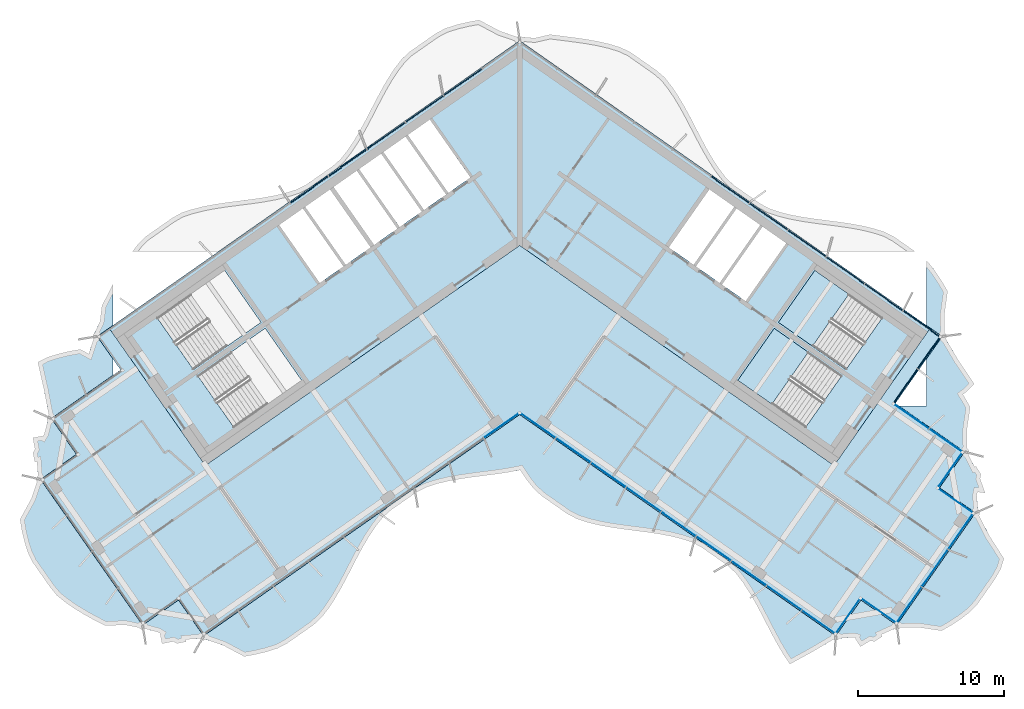
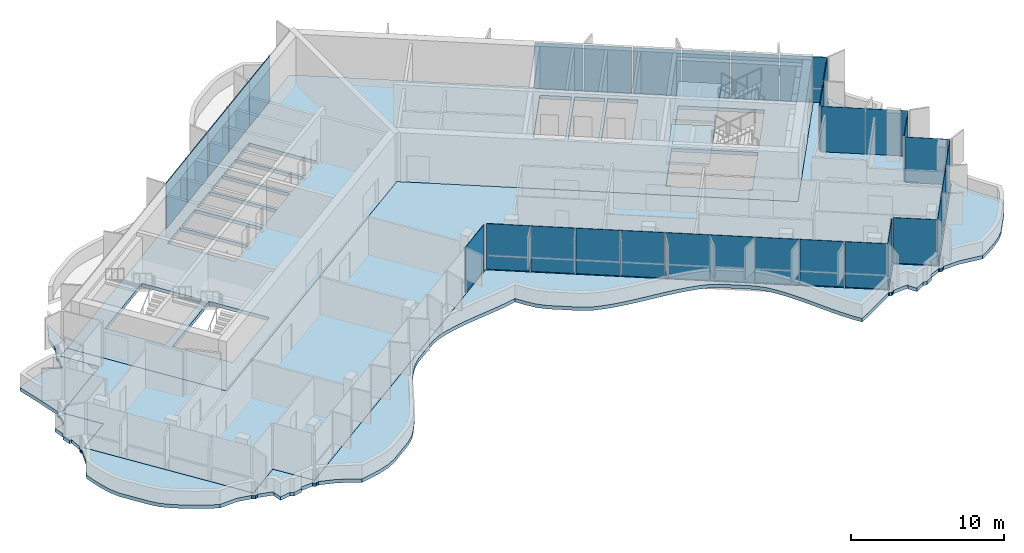
# One storey, part 8 of 18: 32 plates, 5 slabs, 4 elements without a shape of their own.
"""IFC4 building model written with IfcOpenShell, lengths in metres."""

from ifc_helpers import new_model, si_unit, direction, frame, origin, origin_2d, place, context, subcontext, project, spatial, polyline, rectangle, outline, extrude, material, layer, layer_set, type_object, element, aggregate, save


model = new_model("IFC4")

# Units and contexts
model_context = context("Model", 3, precision=1e-05, world=origin(), true_north=direction((0.0, 1.0)))
body_context = subcontext(model_context, "Body", "Model", "MODEL_VIEW")
ifc_project = project(units=[si_unit("LENGTHUNIT", "METRE"), si_unit("AREAUNIT", "SQUARE_METRE"), si_unit("VOLUMEUNIT", "CUBIC_METRE"), si_unit("PLANEANGLEUNIT", "RADIAN"), si_unit("MASSUNIT", "GRAM", prefix="KILO")], contexts=[model_context])

# Site, building, storey
site_placement = place(None, origin())
site = spatial("IfcSite", under=ifc_project, at=site_placement, CompositionType="ELEMENT")
building_placement = place(site_placement, origin())
building = spatial("IfcBuilding", under=site, at=building_placement, Name="Tel Ilan Convention Tower", CompositionType="ELEMENT")
storey_placement = place(building_placement, frame((0.0, 0.0, 256.60009765625)))
storey = spatial("IfcBuildingStorey", under=building, at=storey_placement, Name="L60", CompositionType="ELEMENT", Elevation=256.60009765625)

# Curtain wall, plates
ifc_material_1 = material(Name="Aluminium, bronze anodised", Category="aluminium")
curtain_wall_type_1 = type_object("IfcCurtainWallType", Name="CW2 STICK CURTAIN WALL, SPANDREL PANELS", PredefinedType="NOTDEFINED", material=ifc_material_1)
curtain_wall_1_placement = place(storey_placement, origin())
curtain_wall_1 = element("IfcCurtainWall", 1, at=curtain_wall_1_placement, inside=storey, type_object=curtain_wall_type_1, Name="Curtain wall CW2-46.01", PredefinedType="NOTDEFINED")
ifc_material_2 = material(Name="Aluminium composite panel, bronze anodised", Category="aluminium")
ifc_layer_1 = layer(ifc_material_2, 0.06005859375)
ifc_layer_set_1 = layer_set([ifc_layer_1], Name="CW SPANDREL PANEL 60")
plate_type_1 = type_object("IfcPlateType", Name="CW SPANDREL PANEL 60", PredefinedType="CURTAIN_PANEL", material=ifc_layer_set_1)
plate_1_placement = place(storey_placement, frame((26.45947265625, -10.85400390625, -0.000244140625), z_axis=(0.0, 0.0, 1.0), x_axis=(0.573576436351, 0.819152044289, 0.0)))
plate_1 = element("IfcPlate", 2, at=plate_1_placement, type_object=plate_type_1, Name="Spandrel panel", PredefinedType="CURTAIN_PANEL", context=body_context, shape_type="SweptSolid", body=[
    extrude(rectangle(XDim=2.76904296875, YDim=0.06005859375, at=origin_2d()), origin(), (0.0, 0.0, 1.0), 3.6201171875),
])
plate_2_placement = place(storey_placement, frame((28.042236328125, -8.593505859375, -0.000244140625), z_axis=(0.0, 0.0, 1.0), x_axis=(0.573576436351, 0.819152044289, 0.0)))
plate_2 = element("IfcPlate", 3, at=plate_2_placement, type_object=plate_type_1, Name="Spandrel panel", PredefinedType="CURTAIN_PANEL", context=body_context, shape_type="SweptSolid", body=[
    extrude(rectangle(XDim=2.6298828125, YDim=0.06005859375, at=origin_2d()), origin(), (0.0, 0.0, 1.0), 3.6201171875),
])
plate_3_placement = place(storey_placement, frame((27.5400390625, -6.587646484375, -0.000244140625), z_axis=(0.0, 0.0, 1.0), x_axis=(-0.819152044289, 0.573576436351, 0.0)))
plate_3 = element("IfcPlate", 4, at=plate_3_placement, type_object=plate_type_1, Name="Spandrel panel", PredefinedType="CURTAIN_PANEL", context=body_context, shape_type="SweptSolid", body=[
    extrude(rectangle(XDim=3.0439453125, YDim=0.06005859375, at=origin_2d()), origin(), (0.0, 0.0, 1.0), 3.6201171875),
])
plate_4_placement = place(storey_placement, frame((24.95263671875, -4.77587890625, -0.000244140625), z_axis=(0.0, 0.0, 1.0), x_axis=(-0.819152044289, 0.573576436351, 0.0)))
plate_4 = element("IfcPlate", 5, at=plate_4_placement, type_object=plate_type_1, Name="Spandrel panel", PredefinedType="CURTAIN_PANEL", context=body_context, shape_type="SweptSolid", body=[
    extrude(rectangle(XDim=3.15380859375, YDim=0.06005859375, at=origin_2d()), origin(), (0.0, 0.0, 1.0), 3.6201171875),
])
plate_5_placement = place(storey_placement, frame((22.31982421875, -2.9326171875, -0.000244140625), z_axis=(0.0, 0.0, 1.0), x_axis=(-0.819152044289, 0.573576436351, 0.0)))
plate_5 = element("IfcPlate", 6, at=plate_5_placement, type_object=plate_type_1, Name="Spandrel panel", PredefinedType="CURTAIN_PANEL", context=body_context, shape_type="SweptSolid", body=[
    extrude(rectangle(XDim=3.15380859375, YDim=0.06005859375, at=origin_2d()), origin(), (0.0, 0.0, 1.0), 3.6201171875),
])
plate_6_placement = place(storey_placement, frame((19.687255859375, -1.089111328125, -0.000244140625), z_axis=(0.0, 0.0, 1.0), x_axis=(-0.819152044289, 0.573576436351, 0.0)))
plate_6 = element("IfcPlate", 7, at=plate_6_placement, type_object=plate_type_1, Name="Spandrel panel", PredefinedType="CURTAIN_PANEL", context=body_context, shape_type="SweptSolid", body=[
    extrude(rectangle(XDim=3.15380859375, YDim=0.06005859375, at=origin_2d()), origin(), (0.0, 0.0, 1.0), 3.6201171875),
])
plate_7_placement = place(storey_placement, frame((17.0546875, 0.754150390625, -0.000244140625), z_axis=(0.0, 0.0, 1.0), x_axis=(-0.819152044289, 0.573576436351, 0.0)))
plate_7 = element("IfcPlate", 8, at=plate_7_placement, type_object=plate_type_1, Name="Spandrel panel", PredefinedType="CURTAIN_PANEL", context=body_context, shape_type="SweptSolid", body=[
    extrude(rectangle(XDim=3.15380859375, YDim=0.06005859375, at=origin_2d()), origin(), (0.0, 0.0, 1.0), 3.6201171875),
])
plate_8_placement = place(storey_placement, frame((14.422119140625, 2.59765625, -0.000244140625), z_axis=(0.0, 0.0, 1.0), x_axis=(-0.819152044289, 0.573576436351, 0.0)))
plate_8 = element("IfcPlate", 9, at=plate_8_placement, type_object=plate_type_1, Name="Spandrel panel", PredefinedType="CURTAIN_PANEL", context=body_context, shape_type="SweptSolid", body=[
    extrude(rectangle(XDim=3.15380859375, YDim=0.06005859375, at=origin_2d()), origin(), (0.0, 0.0, 1.0), 3.6201171875),
])
plate_9_placement = place(storey_placement, frame((-3.8916015625, 9.97119140625, -0.000244140625), z_axis=(0.0, 0.0, 1.0), x_axis=(-0.819152044289, -0.573576436351, 0.0)))
plate_9 = element("IfcPlate", 10, at=plate_9_placement, type_object=plate_type_1, Name="Spandrel panel", PredefinedType="CURTAIN_PANEL", context=body_context, shape_type="SweptSolid", body=[
    extrude(rectangle(XDim=3.15380859375, YDim=0.06005859375, at=origin_2d()), origin(), (0.0, 0.0, 1.0), 3.6201171875),
])
plate_10_placement = place(storey_placement, frame((-6.524169921875, 8.127685546875, -0.000244140625), z_axis=(0.0, 0.0, 1.0), x_axis=(-0.819152044289, -0.573576436351, 0.0)))
plate_10 = element("IfcPlate", 11, at=plate_10_placement, type_object=plate_type_1, Name="Spandrel panel", PredefinedType="CURTAIN_PANEL", context=body_context, shape_type="SweptSolid", body=[
    extrude(rectangle(XDim=3.15380859375, YDim=0.06005859375, at=origin_2d()), origin(), (0.0, 0.0, 1.0), 3.6201171875),
])
plate_11_placement = place(storey_placement, frame((-9.15673828125, 6.284423828125, -0.000244140625), z_axis=(0.0, 0.0, 1.0), x_axis=(-0.819152044289, -0.573576436351, 0.0)))
plate_11 = element("IfcPlate", 12, at=plate_11_placement, type_object=plate_type_1, Name="Spandrel panel", PredefinedType="CURTAIN_PANEL", context=body_context, shape_type="SweptSolid", body=[
    extrude(rectangle(XDim=3.15380859375, YDim=0.06005859375, at=origin_2d()), origin(), (0.0, 0.0, 1.0), 3.6201171875),
])
plate_12_placement = place(storey_placement, frame((-11.789306640625, 4.44091796875, -0.000244140625), z_axis=(0.0, 0.0, 1.0), x_axis=(-0.819152044289, -0.573576436351, 0.0)))
plate_12 = element("IfcPlate", 13, at=plate_12_placement, type_object=plate_type_1, Name="Spandrel panel", PredefinedType="CURTAIN_PANEL", context=body_context, shape_type="SweptSolid", body=[
    extrude(rectangle(XDim=3.15380859375, YDim=0.06005859375, at=origin_2d()), origin(), (0.0, 0.0, 1.0), 3.6201171875),
])
plate_13_placement = place(storey_placement, frame((-14.422119140625, 2.59765625, -0.000244140625), z_axis=(0.0, 0.0, 1.0), x_axis=(-0.819152044289, -0.573576436351, 0.0)))
plate_13 = element("IfcPlate", 14, at=plate_13_placement, type_object=plate_type_1, Name="Spandrel panel", PredefinedType="CURTAIN_PANEL", context=body_context, shape_type="SweptSolid", body=[
    extrude(rectangle(XDim=3.15380859375, YDim=0.06005859375, at=origin_2d()), origin(), (0.0, 0.0, 1.0), 3.6201171875),
])
aggregate(curtain_wall_1, [plate_1, plate_2, plate_3, plate_4, plate_5, plate_6, plate_7, plate_8, plate_9, plate_10, plate_11, plate_12, plate_13])

ifc_material_3 = material(Name="Aluminium, bronze anodised", Category="aluminium")
curtain_wall_type_2 = type_object("IfcCurtainWallType", Name="CW5 STICK CURTAIN WALL, UPPER OFFICE LOW-IRON TINTED GLASS", PredefinedType="NOTDEFINED", material=ifc_material_3)
curtain_wall_2_placement = place(storey_placement, origin())
curtain_wall_2 = element("IfcCurtainWall", 15, at=curtain_wall_2_placement, inside=storey, type_object=curtain_wall_type_2, Name="Curtain wall CW5-46.02", PredefinedType="NOTDEFINED")
ifc_material_4 = material(Name="Glass, low-iron bronze tinted, two-ply", Category="glass")
ifc_layer_2 = layer(ifc_material_4, 0.031982421875)
ifc_layer_set_2 = layer_set([ifc_layer_2], Name="CW UPPER GLASS PANEL 32")
plate_type_2 = type_object("IfcPlateType", Name="CW UPPER GLASS PANEL 32", PredefinedType="CURTAIN_PANEL", material=ifc_layer_set_2)
plate_14_placement = place(storey_placement, frame((-1.261474609375, -13.579345703125, -0.000244140625), z_axis=(0.0, 0.0, 1.0), x_axis=(0.819152044289, 0.573576436351, 0.0)))
plate_14 = element("IfcPlate", 16, at=plate_14_placement, type_object=plate_type_2, Name="Glass panel", PredefinedType="CURTAIN_PANEL", context=body_context, shape_type="SweptSolid", body=[
    extrude(rectangle(XDim=2.877685546875, YDim=0.028076171875, at=origin_2d()), origin(), (0.0, 0.0, 1.0), 3.6201171875),
])
plate_15_placement = place(storey_placement, frame((1.27294921875, -13.58740234375, -0.000244140625), z_axis=(0.0, 0.0, 1.0), x_axis=(0.819152044289, -0.573576436351, 0.0)))
plate_15 = element("IfcPlate", 17, at=plate_15_placement, type_object=plate_type_2, Name="Glass panel", PredefinedType="CURTAIN_PANEL", context=body_context, shape_type="SweptSolid", body=[
    extrude(rectangle(XDim=2.849609375, YDim=0.028076171875, at=origin_2d()), origin(), (0.0, 0.0, 1.0), 3.6201171875),
])
plate_16_placement = place(storey_placement, frame((3.668212890625, -15.264404296875, -0.000244140625), z_axis=(0.0, 0.0, 1.0), x_axis=(0.819152044289, -0.573576436351, 0.0)))
plate_16 = element("IfcPlate", 18, at=plate_16_placement, type_object=plate_type_2, Name="Glass panel", PredefinedType="CURTAIN_PANEL", context=body_context, shape_type="SweptSolid", body=[
    extrude(rectangle(XDim=2.878662109375, YDim=0.028076171875, at=origin_2d()), origin(), (0.0, 0.0, 1.0), 3.6201171875),
])
plate_17_placement = place(storey_placement, frame((6.075439453125, -16.949951171875, -0.000244140625), z_axis=(0.0, 0.0, 1.0), x_axis=(0.819152044289, -0.573576436351, 0.0)))
plate_17 = element("IfcPlate", 19, at=plate_17_placement, type_object=plate_type_2, Name="Glass panel", PredefinedType="CURTAIN_PANEL", context=body_context, shape_type="SweptSolid", body=[
    extrude(rectangle(XDim=2.878662109375, YDim=0.028076171875, at=origin_2d()), origin(), (0.0, 0.0, 1.0), 3.6201171875),
])
plate_18_placement = place(storey_placement, frame((8.482666015625, -18.635498046875, -0.000244140625), z_axis=(0.0, 0.0, 1.0), x_axis=(0.819152044289, -0.573576436351, 0.0)))
plate_18 = element("IfcPlate", 20, at=plate_18_placement, type_object=plate_type_2, Name="Glass panel", PredefinedType="CURTAIN_PANEL", context=body_context, shape_type="SweptSolid", body=[
    extrude(rectangle(XDim=2.878662109375, YDim=0.028076171875, at=origin_2d()), origin(), (0.0, 0.0, 1.0), 3.6201171875),
])
plate_19_placement = place(storey_placement, frame((10.8896484375, -20.321044921875, -0.000244140625), z_axis=(0.0, 0.0, 1.0), x_axis=(0.819152044289, -0.573576436351, 0.0)))
plate_19 = element("IfcPlate", 21, at=plate_19_placement, type_object=plate_type_2, Name="Glass panel", PredefinedType="CURTAIN_PANEL", context=body_context, shape_type="SweptSolid", body=[
    extrude(rectangle(XDim=2.878662109375, YDim=0.028076171875, at=origin_2d()), origin(), (0.0, 0.0, 1.0), 3.6201171875),
])
plate_20_placement = place(storey_placement, frame((13.296875, -22.006591796875, -0.000244140625), z_axis=(0.0, 0.0, 1.0), x_axis=(0.819152044289, -0.573576436351, 0.0)))
plate_20 = element("IfcPlate", 22, at=plate_20_placement, type_object=plate_type_2, Name="Glass panel", PredefinedType="CURTAIN_PANEL", context=body_context, shape_type="SweptSolid", body=[
    extrude(rectangle(XDim=2.878662109375, YDim=0.028076171875, at=origin_2d()), origin(), (0.0, 0.0, 1.0), 3.6201171875),
])
plate_21_placement = place(storey_placement, frame((15.7041015625, -23.692138671875, -0.000244140625), z_axis=(0.0, 0.0, 1.0), x_axis=(0.819152044289, -0.573576436351, 0.0)))
plate_21 = element("IfcPlate", 23, at=plate_21_placement, type_object=plate_type_2, Name="Glass panel", PredefinedType="CURTAIN_PANEL", context=body_context, shape_type="SweptSolid", body=[
    extrude(rectangle(XDim=2.878662109375, YDim=0.028076171875, at=origin_2d()), origin(), (0.0, 0.0, 1.0), 3.6201171875),
])
plate_22_placement = place(storey_placement, frame((18.111328125, -25.377685546875, -0.000244140625), z_axis=(0.0, 0.0, 1.0), x_axis=(0.819152044289, -0.573576436351, 0.0)))
plate_22 = element("IfcPlate", 24, at=plate_22_placement, type_object=plate_type_2, Name="Glass panel", PredefinedType="CURTAIN_PANEL", context=body_context, shape_type="SweptSolid", body=[
    extrude(rectangle(XDim=2.878662109375, YDim=0.028076171875, at=origin_2d()), origin(), (0.0, 0.0, 1.0), 3.6201171875),
])
plate_23_placement = place(storey_placement, frame((20.47998046875, -27.036376953125, -0.000244140625), z_axis=(0.0, 0.0, 1.0), x_axis=(0.819152044289, -0.573576436351, 0.0)))
plate_23 = element("IfcPlate", 25, at=plate_23_placement, type_object=plate_type_2, Name="Glass panel", PredefinedType="CURTAIN_PANEL", context=body_context, shape_type="SweptSolid", body=[
    extrude(rectangle(XDim=2.78466796875, YDim=0.028076171875, at=origin_2d()), origin(), (0.0, 0.0, 1.0), 3.6201171875),
])
plate_24_placement = place(storey_placement, frame((22.478515625, -26.651611328125, -0.000244140625), z_axis=(0.0, 0.0, 1.0), x_axis=(0.573576436351, 0.819152044289, 0.0)))
plate_24 = element("IfcPlate", 26, at=plate_24_placement, type_object=plate_type_2, Name="Glass panel", PredefinedType="CURTAIN_PANEL", context=body_context, shape_type="SweptSolid", body=[
    extrude(rectangle(XDim=2.875, YDim=0.028076171875, at=origin_2d()), origin(), (0.0, 0.0, 1.0), 3.6201171875),
])
plate_25_placement = place(storey_placement, frame((24.621337890625, -26.273681640625, -0.000244140625), z_axis=(0.0, 0.0, 1.0), x_axis=(0.819152044289, -0.573576436351, 0.0)))
plate_25 = element("IfcPlate", 27, at=plate_25_placement, type_object=plate_type_2, Name="Glass panel", PredefinedType="CURTAIN_PANEL", context=body_context, shape_type="SweptSolid", body=[
    extrude(rectangle(XDim=2.875, YDim=0.028076171875, at=origin_2d()), origin(), (0.0, 0.0, 1.0), 3.6201171875),
])
plate_26_placement = place(storey_placement, frame((26.6865234375, -25.8720703125, -0.000244140625), z_axis=(0.0, 0.0, 1.0), x_axis=(0.573576436351, 0.819152044289, 0.0)))
plate_26 = element("IfcPlate", 28, at=plate_26_placement, type_object=plate_type_2, Name="Glass panel", PredefinedType="CURTAIN_PANEL", context=body_context, shape_type="SweptSolid", body=[
    extrude(rectangle(XDim=2.979248046875, YDim=0.028076171875, at=origin_2d()), origin(), (0.0, 0.0, 1.0), 3.6201171875),
])
plate_27_placement = place(storey_placement, frame((28.456787109375, -23.343994140625, -0.000244140625), z_axis=(0.0, 0.0, 1.0), x_axis=(0.573576436351, 0.819152044289, 0.0)))
plate_27 = element("IfcPlate", 29, at=plate_27_placement, type_object=plate_type_2, Name="Glass panel", PredefinedType="CURTAIN_PANEL", context=body_context, shape_type="SweptSolid", body=[
    extrude(rectangle(XDim=3.0732421875, YDim=0.028076171875, at=origin_2d()), origin(), (0.0, 0.0, 1.0), 3.6201171875),
])
plate_28_placement = place(storey_placement, frame((30.22705078125, -20.815673828125, -0.000244140625), z_axis=(0.0, 0.0, 1.0), x_axis=(0.573576436351, 0.819152044289, 0.0)))
plate_28 = element("IfcPlate", 30, at=plate_28_placement, type_object=plate_type_2, Name="Glass panel", PredefinedType="CURTAIN_PANEL", context=body_context, shape_type="SweptSolid", body=[
    extrude(rectangle(XDim=2.979248046875, YDim=0.028076171875, at=origin_2d()), origin(), (0.0, 0.0, 1.0), 3.6201171875),
])
plate_29_placement = place(storey_placement, frame((29.898193359375, -18.737548828125, -0.000244140625), z_axis=(0.0, 0.0, 1.0), x_axis=(-0.819152044289, 0.573576436351, 0.0)))
plate_29 = element("IfcPlate", 31, at=plate_29_placement, type_object=plate_type_2, Name="Glass panel", PredefinedType="CURTAIN_PANEL", context=body_context, shape_type="SweptSolid", body=[
    extrude(rectangle(XDim=2.875, YDim=0.028076171875, at=origin_2d()), origin(), (0.0, 0.0, 1.0), 3.6201171875),
])
plate_30_placement = place(storey_placement, frame((29.520263671875, -16.5947265625, -0.000244140625), z_axis=(0.0, 0.0, 1.0), x_axis=(0.573576436351, 0.819152044289, 0.0)))
plate_30 = element("IfcPlate", 32, at=plate_30_placement, type_object=plate_type_2, Name="Glass panel", PredefinedType="CURTAIN_PANEL", context=body_context, shape_type="SweptSolid", body=[
    extrude(rectangle(XDim=2.875, YDim=0.028076171875, at=origin_2d()), origin(), (0.0, 0.0, 1.0), 3.6201171875),
])
plate_31_placement = place(storey_placement, frame((29.21435546875, -14.59619140625, -0.000244140625), z_axis=(0.0, 0.0, 1.0), x_axis=(-0.819152044289, 0.573576436351, 0.0)))
plate_31 = element("IfcPlate", 33, at=plate_31_placement, type_object=plate_type_2, Name="Glass panel", PredefinedType="CURTAIN_PANEL", context=body_context, shape_type="SweptSolid", body=[
    extrude(rectangle(XDim=2.74609375, YDim=0.028076171875, at=origin_2d()), origin(), (0.0, 0.0, 1.0), 3.6201171875),
])
plate_32_placement = place(storey_placement, frame((26.865234375, -12.95166015625, -0.000244140625), z_axis=(0.0, 0.0, 1.0), x_axis=(-0.819152044289, 0.573576436351, 0.0)))
plate_32 = element("IfcPlate", 34, at=plate_32_placement, type_object=plate_type_2, Name="Glass panel", PredefinedType="CURTAIN_PANEL", context=body_context, shape_type="SweptSolid", body=[
    extrude(rectangle(XDim=2.868896484375, YDim=0.028076171875, at=origin_2d()), origin(), (0.0, 0.0, 1.0), 3.6201171875),
])
aggregate(curtain_wall_2, [plate_14, plate_15, plate_16, plate_17, plate_18, plate_19, plate_20, plate_21, plate_22, plate_23, plate_24, plate_25, plate_26, plate_27, plate_28, plate_29, plate_30, plate_31, plate_32])

# Stair, slab
ifc_material_5 = material(Name="Concrete C40/50", Category="concrete")
stair_type = type_object("IfcStairType", Name="Pressurised Exit Stair 22 risers 177 mm", PredefinedType="HALF_TURN_STAIR", material=ifc_material_5)
stair_1_placement = place(storey_placement, origin())
stair_1 = element("IfcStair", 35, at=stair_1_placement, inside=storey, type_object=stair_type, Name="L60 Pressurised Stair S3", PredefinedType="HALF_TURN_STAIR")
ifc_material_6 = material(Name="Concrete C40/50", Category="concrete")
ifc_layer_3 = layer(ifc_material_6, 0.199951171875)
ifc_layer_set_3 = layer_set([ifc_layer_3], Name="Concrete Stair Landing 200 mm C40/50")
slab_type_1 = type_object("IfcSlabType", Name="Concrete Stair Landing 200 mm", PredefinedType="LANDING", material=ifc_layer_set_3)
slab_1_placement = place(storey_placement, frame((0.0, 0.0, 1.75)))
slab_1 = element("IfcSlab", 36, at=slab_1_placement, type_object=slab_type_1, Name="S3 landing 1", PredefinedType="LANDING", context=body_context, shape_type="SweptSolid", body=[
    extrude(outline(polyline([(22.561767578125, -4.566650390625), (20.226318359375, -2.931640625), (17.7314453125, -6.494873046875), (20.066650390625, -8.130126953125), (22.561767578125, -4.566650390625)])), origin(), (0.0, 0.0, 1.0), 0.199951171875),
])
aggregate(stair_1, [slab_1])

stair_2_placement = place(storey_placement, origin())
stair_2 = element("IfcStair", 37, at=stair_2_placement, inside=storey, type_object=stair_type, Name="L60 Pressurised Stair S4", PredefinedType="HALF_TURN_STAIR")
slab_2_placement = place(storey_placement, frame((0.0, 0.0, 1.75)))
slab_2 = element("IfcSlab", 38, at=slab_2_placement, type_object=slab_type_1, Name="S4 landing 1", PredefinedType="LANDING", context=body_context, shape_type="SweptSolid", body=[
    extrude(outline(polyline([(19.77978515625, -8.53955078125), (17.444580078125, -6.904541015625), (14.949462890625, -10.4677734375), (17.28466796875, -12.10302734375), (19.77978515625, -8.53955078125)])), origin(), (0.0, 0.0, 1.0), 0.199951171875),
])
aggregate(stair_2, [slab_2])

# Slabs
ifc_material_7 = material(Name="Concrete C40/50", Category="concrete")
ifc_layer_4 = layer(ifc_material_7, 0.280029296875)
ifc_layer_set_4 = layer_set([ifc_layer_4], Name="Core Floor Slab 280 mm C40/50")
slab_type_2 = type_object("IfcSlabType", Name="Core Floor Slab 280 mm C40/50", PredefinedType="FLOOR", material=ifc_layer_set_4)
slab_3_placement = place(storey_placement, frame((0.0, 0.0, -0.280029296875)))
element("IfcSlab", 39, at=slab_3_placement, inside=storey, type_object=slab_type_2, Name="L60 core floor 1", PredefinedType="FLOOR", context=body_context, shape_type="SweptSolid", body=[
    extrude(outline(polyline([(-28.1396484375, -6.885498046875), (0.0, 12.818115234375), (28.1396484375, -6.885498046875), (21.54345703125, -16.3056640625), (0.0, -1.220703125), (-21.54345703125, -16.3056640625), (-28.1396484375, -6.885498046875)]), holes=[polyline([(-17.444580078125, -6.904541015625), (-22.072021484375, -10.144775390625), (-19.5771484375, -13.7080078125), (-14.949462890625, -10.4677734375), (-17.444580078125, -6.904541015625)]), polyline([(-17.7314453125, -6.494873046875), (-20.226318359375, -2.931640625), (-24.85400390625, -6.171875), (-22.35888671875, -9.735107421875), (-17.7314453125, -6.494873046875)]), polyline([(-14.864990234375, 1.310791015625), (-16.48291015625, 0.177978515625), (-13.701171875, -3.794921875), (-12.083251953125, -2.662109375), (-14.864990234375, 1.310791015625)]), polyline([(-14.701416015625, 1.425537109375), (-11.91943359375, -2.54736328125), (-10.2197265625, -1.357421875), (-13.001708984375, 2.615478515625), (-14.701416015625, 1.425537109375)]), polyline([(-11.168701171875, 3.89892578125), (-12.755859375, 2.78759765625), (-9.97412109375, -1.185302734375), (-8.386962890625, -0.073974609375), (-11.168701171875, 3.89892578125)]), polyline([(-9.499755859375, 5.067626953125), (-11.0048828125, 4.013671875), (-8.222900390625, 0.040771484375), (-6.718017578125, 1.0947265625), (-9.499755859375, 5.067626953125)]), polyline([(-9.3359375, 5.182373046875), (-6.553955078125, 1.20947265625), (-5.048828125, 2.263427734375), (-7.830810546875, 6.236328125), (-9.3359375, 5.182373046875)]), polyline([(17.444580078125, -6.904541015625), (14.949462890625, -10.4677734375), (19.5771484375, -13.7080078125), (22.072021484375, -10.144775390625), (17.444580078125, -6.904541015625)]), polyline([(20.226318359375, -2.931640625), (17.7314453125, -6.494873046875), (22.35888671875, -9.735107421875), (24.85400390625, -6.171875), (20.226318359375, -2.931640625)]), polyline([(15.48291015625, -5.04248046875), (18.2646484375, -1.069580078125), (16.646728515625, 0.063232421875), (13.864990234375, -3.90966796875), (15.48291015625, -5.04248046875)]), polyline([(13.701171875, -3.794921875), (16.48291015625, 0.177978515625), (14.864990234375, 1.310791015625), (12.083251953125, -2.662109375), (13.701171875, -3.794921875)]), polyline([(11.91943359375, -2.54736328125), (14.701416015625, 1.425537109375), (13.001708984375, 2.615478515625), (10.2197265625, -1.357421875), (11.91943359375, -2.54736328125)]), polyline([(-6.16162109375, 7.405029296875), (-7.666748046875, 6.35107421875), (-4.885009765625, 2.378173828125), (-3.3798828125, 3.43212890625), (-6.16162109375, 7.405029296875)])]), origin(), (0.0, 0.0, 1.0), 0.280029296875),
])
ifc_material_8 = material(Name="Concrete C40/50", Category="concrete")
ifc_layer_5 = layer(ifc_material_8, 0.280029296875)
ifc_layer_set_5 = layer_set([ifc_layer_5], Name="Edge Ledge Slab 280 mm C40/50")
slab_type_3 = type_object("IfcSlabType", Name="Edge Ledge Slab 280 mm C40/50", PredefinedType="FLOOR", material=ifc_layer_set_5)
slab_4_placement = place(storey_placement, frame((0.0, 0.0, -0.280029296875)))
element("IfcSlab", 40, at=slab_4_placement, inside=storey, type_object=slab_type_3, Name="L60 edge ledge 1", PredefinedType="FLOOR", context=body_context, shape_type="SweptSolid", body=[
    extrude(outline(polyline([(-22.855224609375, -28.3798828125), (-23.49462890625, -28.5126953125), (-23.728759765625, -28.3701171875), (-24.51416015625, -28.518310546875), (-24.64697265625, -27.87890625), (-24.61669921875, -27.8291015625), (-24.7724609375, -27.73388671875), (-25.6708984375, -27.4970703125), (-25.67431640625, -27.4921875), (-25.728271484375, -27.5283203125), (-25.843017578125, -27.55126953125), (-25.957763671875, -27.5283203125), (-26.05517578125, -27.46337890625), (-26.083984375, -27.420166015625), (-26.088623046875, -27.42333984375), (-27.05419921875, -27.223388671875), (-28.398193359375, -27.288330078125), (-29.12353515625, -26.920166015625), (-29.82373046875, -26.5341796875), (-30.49462890625, -26.1279296875), (-31.125732421875, -25.69384765625), (-31.707763671875, -25.22509765625), (-32.166748046875, -24.670654296875), (-33.401611328125, -22.906982421875), (-33.7158203125, -22.2509765625), (-33.940185546875, -21.531982421875), (-34.1181640625, -20.780517578125), (-34.248779296875, -19.995849609375), (-33.47021484375, -18.574462890625), (-33.08642578125, -17.4296875), (-33.081787109375, -17.426513671875), (-33.117919921875, -17.372314453125), (-33.140625, -17.257568359375), (-33.117919921875, -17.142822265625), (-33.052734375, -17.04541015625), (-33.009521484375, -17.0166015625), (-33.0126953125, -17.011962890625), (-33.085693359375, -16.03955078125), (-33.232666015625, -16.067138671875), (-33.365478515625, -15.427490234375), (-33.22265625, -15.193603515625), (-33.370849609375, -14.408203125), (-32.7314453125, -14.275390625), (-32.681640625, -14.3056640625), (-32.586669921875, -14.14990234375), (-32.349609375, -13.25146484375), (-32.344970703125, -13.248291015625), (-32.381103515625, -13.194091796875), (-32.40380859375, -13.079345703125), (-32.381103515625, -12.964599609375), (-32.31591796875, -12.8671875), (-32.272705078125, -12.83837890625), (-32.27587890625, -12.833740234375), (-32.6083984375, -11.094970703125), (-33.031982421875, -9.225830078125), (-32.382080078125, -8.890380859375), (-31.6572265625, -8.661376953125), (-30.899169921875, -8.47998046875), (-30.110107421875, -8.3427734375), (-29.537353515625, -8.652587890625), (-29.20458984375, -7.631103515625), (-29.199951171875, -7.6279296875), (-29.236083984375, -7.57373046875), (-29.2587890625, -7.458984375), (-29.236083984375, -7.34423828125), (-29.1708984375, -7.246826171875), (-29.127685546875, -7.218017578125), (-29.130859375, -7.21337890625), (-28.772216796875, -6.441650390625), (-28.635009765625, -5.353515625), (-28.252685546875, -4.614990234375), (-27.875, -3.881103515625), (-27.875, -6.7001953125), (-28.958740234375, -7.458984375), (-27.875, -9.007080078125), (-27.875, -10.1181640625), (-32.10400390625, -13.079345703125), (-30.383056640625, -15.536865234375), (-32.840576171875, -17.257568359375), (-25.843017578125, -27.251220703125), (-23.385498046875, -25.530517578125), (-21.664794921875, -27.988037109375), (0.0, -12.818115234375), (21.664794921875, -27.988037109375), (23.385498046875, -25.530517578125), (25.843017578125, -27.251220703125), (31.234619140625, -19.55126953125), (28.777099609375, -17.83056640625), (30.497802734375, -15.373046875), (26.023681640625, -12.239990234375), (27.875, -12.239990234375), (27.875, -9.007080078125), (28.958740234375, -7.458984375), (27.875, -6.7001953125), (27.875, -2.269287109375), (28.0107421875, -2.392578125), (28.48388671875, -3.001220703125), (28.922119140625, -3.6591796875), (29.331298828125, -4.35888671875), (29.109619140625, -5.95947265625), (29.130859375, -7.21337890625), (29.127685546875, -7.218017578125), (29.1708984375, -7.246826171875), (29.236083984375, -7.34423828125), (29.2587890625, -7.458984375), (29.236083984375, -7.57373046875), (29.199951171875, -7.6279296875), (29.20458984375, -7.631103515625), (30.056640625, -9.082275390625), (31.151123046875, -10.703125), (30.66748046875, -11.218994140625), (30.3720703125, -11.4404296875), (30.48095703125, -11.605224609375), (30.879638671875, -12.2998046875), (30.642822265625, -13.902099609375), (30.669921875, -15.127197265625), (30.666748046875, -15.132080078125), (30.7099609375, -15.160888671875), (30.77490234375, -15.25830078125), (30.7978515625, -15.373046875), (30.77490234375, -15.48779296875), (30.739013671875, -15.541748046875), (30.74365234375, -15.545166015625), (31.182861328125, -16.411376953125), (31.2734375, -16.357666015625), (31.616943359375, -16.9130859375), (31.555419921875, -17.218994140625), (31.9052734375, -18.189697265625), (31.373779296875, -18.122802734375), (31.322021484375, -18.380126953125), (31.40673828125, -19.305419921875), (31.4033203125, -19.31005859375), (31.44677734375, -19.339111328125), (31.51171875, -19.436279296875), (31.53466796875, -19.55126953125), (31.51171875, -19.666015625), (31.4755859375, -19.719970703125), (31.480224609375, -19.723388671875), (32.166015625, -21.086181640625), (33.192138671875, -22.687255859375), (32.962646484375, -23.409423828125), (32.6064453125, -24.042724609375), (31.3623046875, -25.819580078125), (30.856201171875, -26.347900390625), (30.25439453125, -26.809326171875), (29.60546875, -27.237548828125), (28.91162109375, -27.634521484375), (27.309326171875, -27.395263671875), (26.088623046875, -27.42333984375), (26.083984375, -27.420166015625), (26.05517578125, -27.46337890625), (25.957763671875, -27.5283203125), (25.843017578125, -27.55126953125), (25.728271484375, -27.5283203125), (25.67431640625, -27.4921875), (25.6708984375, -27.4970703125), (24.7822265625, -27.898193359375), (24.8583984375, -28.02685546875), (24.302978515625, -28.3701171875), (24.0341796875, -28.31640625), (23.3466796875, -28.72412109375), (23.00341796875, -28.168701171875), (23.0146484375, -28.111328125), (22.835693359375, -28.075439453125), (21.910400390625, -28.16015625), (21.906005859375, -28.15673828125), (21.876953125, -28.2001953125), (21.779541015625, -28.26513671875), (21.664794921875, -28.2880859375), (21.550048828125, -28.26513671875), (21.49609375, -28.22900390625), (21.49267578125, -28.233642578125), (19.969482421875, -29.128173828125), (18.5185546875, -29.919677734375), (18.077880859375, -29.268310546875), (17.6669921875, -28.573974609375), (17.27587890625, -27.851806640625), (16.894775390625, -27.115234375), (16.51416015625, -26.377685546875), (16.12451171875, -25.653564453125), (15.71630859375, -24.955810546875), (15.28125, -24.29638671875), (14.811767578125, -23.685791015625), (14.27099609375, -23.177001953125), (12.4658203125, -21.9130859375), (11.811767578125, -21.56591796875), (11.080810546875, -21.329345703125), (10.314697265625, -21.142333984375), (9.521240234375, -20.99462890625), (8.70849609375, -20.87451171875), (7.885986328125, -20.7685546875), (7.06298828125, -20.6630859375), (6.24951171875, -20.5439453125), (5.45458984375, -20.398193359375), (4.68701171875, -20.213623046875), (3.953857421875, -19.979736328125), (3.2939453125, -19.6416015625), (1.488525390625, -18.377197265625), (0.94189453125, -17.877197265625), (0.470458984375, -17.269775390625), (0.03369140625, -16.61279296875), (0.033203125, -16.6123046875), (-0.023681640625, -16.626708984375), (-0.816650390625, -16.775146484375), (-1.62890625, -16.895751953125), (-2.45166015625, -17.001953125), (-3.274658203125, -17.107421875), (-4.08837890625, -17.225830078125), (-4.8837890625, -17.370849609375), (-5.65234375, -17.55419921875), (-6.386474609375, -17.78662109375), (-7.049560546875, -18.12060546875), (-8.85498046875, -19.384521484375), (-9.404541015625, -19.880615234375), (-9.877197265625, -20.486572265625), (-10.314697265625, -21.142333984375), (-10.724853515625, -21.83740234375), (-11.11572265625, -22.56005859375), (-11.49658203125, -23.296875), (-11.877197265625, -24.0341796875), (-12.267333984375, -24.7578125), (-12.67626953125, -25.454833984375), (-13.1123046875, -26.113037109375), (-13.582763671875, -26.721923828125), (-14.12646484375, -27.226318359375), (-15.931884765625, -28.490478515625), (-16.588623046875, -28.833251953125), (-17.32080078125, -29.068603515625), (-18.08740234375, -29.25439453125), (-18.88330078125, -29.3984375), (-20.311279296875, -28.64013671875), (-21.49267578125, -28.233642578125), (-21.49609375, -28.22900390625), (-21.550048828125, -28.26513671875), (-21.664794921875, -28.2880859375), (-21.779541015625, -28.26513671875), (-21.876953125, -28.2001953125), (-21.906005859375, -28.15673828125), (-21.910400390625, -28.16015625), (-22.8828125, -28.233154296875), (-22.855224609375, -28.3798828125)])), origin(), (0.0, 0.0, 1.0), 0.280029296875),
])
ifc_material_9 = material(Name="Concrete C40/50", Category="concrete")
ifc_layer_6 = layer(ifc_material_9, 0.280029296875)
ifc_layer_set_6 = layer_set([ifc_layer_6], Name="Flat Plate Floor Slab 280 mm C40/50")
slab_type_4 = type_object("IfcSlabType", Name="Flat Plate Floor Slab 280 mm C40/50", PredefinedType="FLOOR", material=ifc_layer_set_6)
slab_5_placement = place(storey_placement, frame((0.0, 0.0, -0.280029296875)))
element("IfcSlab", 41, at=slab_5_placement, inside=storey, type_object=slab_type_4, Name="L60 floor slab", PredefinedType="FLOOR", context=body_context, shape_type="SweptSolid", body=[
    extrude(outline(polyline([(21.54345703125, -16.3056640625), (28.1396484375, -6.885498046875), (28.958740234375, -7.458984375), (25.746826171875, -12.04638671875), (30.497802734375, -15.373046875), (28.777099609375, -17.83056640625), (31.234619140625, -19.55126953125), (25.843017578125, -27.251220703125), (23.385498046875, -25.530517578125), (21.664794921875, -27.988037109375), (0.0, -12.818115234375), (-21.664794921875, -27.988037109375), (-23.385498046875, -25.530517578125), (-25.843017578125, -27.251220703125), (-32.840576171875, -17.257568359375), (-30.383056640625, -15.536865234375), (-32.10400390625, -13.079345703125), (-27.352783203125, -9.752685546875), (-28.958740234375, -7.458984375), (-28.1396484375, -6.885498046875), (-21.54345703125, -16.3056640625), (0.0, -1.220703125), (21.54345703125, -16.3056640625)])), origin(), (0.0, 0.0, 1.0), 0.280029296875),
])

save(model, "model.ifc")
